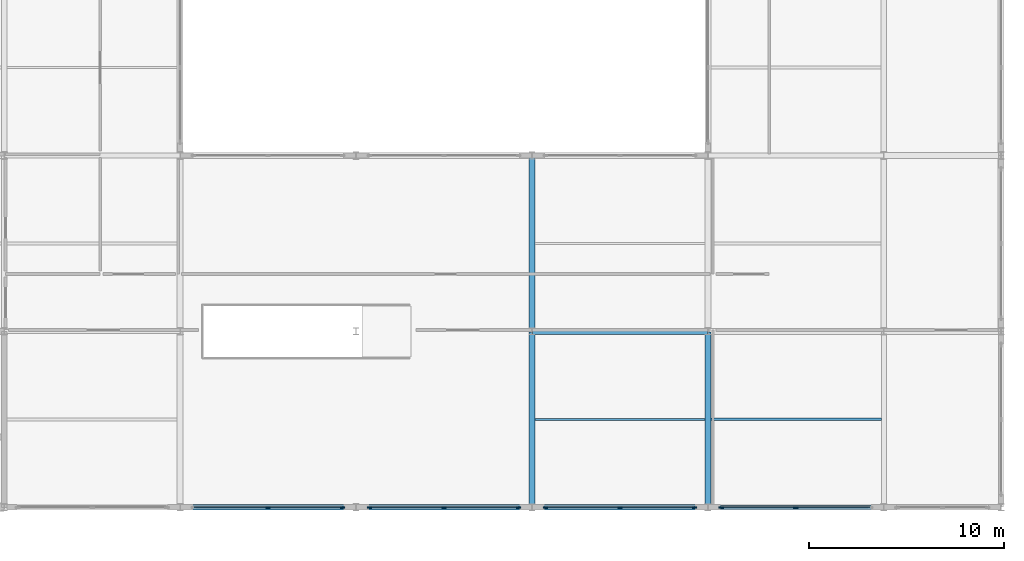
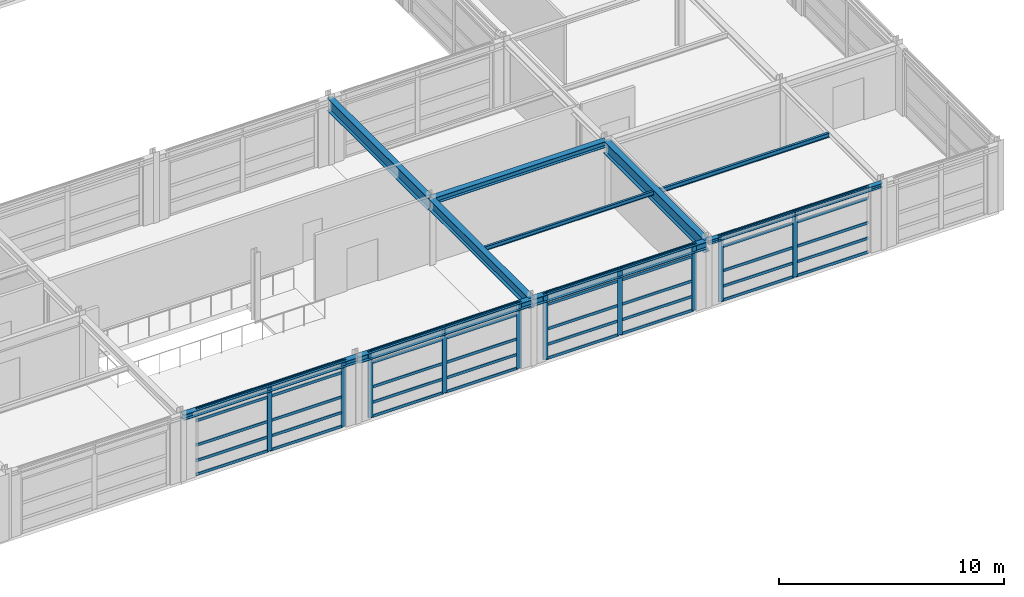
# One storey, part 40 of 79: 50 members, 10 beams, 4 elements without a shape of their own.
"""IFC4 building model written with IfcOpenShell, lengths in metres."""

from ifc_helpers import new_model, si_unit, direction, frame, origin, origin_2d, place, context, subcontext, project, spatial, rectangle, i_section, extrude, material, material_profile, profile_set, type_object, element, aggregate, save


model = new_model("IFC4")

# Units and contexts
model_context = context("Model", 3, precision=1e-05, world=origin(), true_north=direction((0.0, 1.0)))
body_context = subcontext(model_context, "Body", "Model", "MODEL_VIEW")
ifc_project = project(units=[si_unit("LENGTHUNIT", "METRE"), si_unit("AREAUNIT", "SQUARE_METRE"), si_unit("VOLUMEUNIT", "CUBIC_METRE"), si_unit("PLANEANGLEUNIT", "RADIAN"), si_unit("MASSUNIT", "GRAM", prefix="KILO")], contexts=[model_context])

# Site, building, storey
site_placement = place(None, origin())
site = spatial("IfcSite", under=ifc_project, at=site_placement, CompositionType="ELEMENT")
building_placement = place(site_placement, origin())
building = spatial("IfcBuilding", under=site, at=building_placement, Name="Palais des Congres Ocreval", CompositionType="ELEMENT")
storey_placement = place(building_placement, frame((0.0, 0.0, 4.320068359375)))
storey = spatial("IfcBuildingStorey", under=building, at=storey_placement, Name="L01", CompositionType="ELEMENT", Elevation=4.320068359375)

# Curtain wall, members
ifc_material_1 = material(Name="Anodized bronze aluminium and low-E glass", Category="glass")
curtain_wall_type = type_object("IfcCurtainWallType", Name="Unitised Curtain Wall 7900x3660", PredefinedType="USERDEFINED", material=ifc_material_1)
curtain_wall_1_placement = place(storey_placement, origin())
curtain_wall_1 = element("IfcCurtainWall", 1, at=curtain_wall_1_placement, inside=storey, type_object=curtain_wall_type, Name="Unitised Curtain Wall CW02 L01", ObjectType="UNITISED CURTAIN WALL", PredefinedType="USERDEFINED")
ifc_material_2 = material(Name="Anodized bronze aluminium", Category="aluminium")
ifc_material_profile_1 = material_profile(ifc_material_2, rectangle(XDim=0.074951171875, YDim=0.239990234375, at=origin_2d()), Name="ALU 75x240")
ifc_profile_set_1 = profile_set([ifc_material_profile_1], Name="Anodized bronze aluminium")
member_type_1 = type_object("IfcMemberType", Name="Curtain Wall Mullion ALU 75x240", PredefinedType="MULLION", material=ifc_profile_set_1)
member_1_placement = place(storey_placement, frame((157.5, 0.0, 0.0), z_axis=(0.0, 0.0, 1.0), x_axis=(0.0, -1.0, 0.0)))
member_1 = element("IfcMember", 2, at=member_1_placement, type_object=member_type_1, Name="Curtain Wall Mullion ML01", PredefinedType="MULLION", context=body_context, shape_type="SweptSolid", body=[
    extrude(rectangle(XDim=0.074951171875, YDim=0.239990234375, at=origin_2d()), origin(), (0.0, 0.0, 1.0), 3.599853515625),
])
member_2_placement = place(storey_placement, frame((153.6875, 0.0, 0.0), z_axis=(0.0, 0.0, 1.0), x_axis=(0.0, -1.0, 0.0)))
member_2 = element("IfcMember", 3, at=member_2_placement, type_object=member_type_1, Name="Curtain Wall Mullion ML01", PredefinedType="MULLION", context=body_context, shape_type="SweptSolid", body=[
    extrude(rectangle(XDim=0.074951171875, YDim=0.239990234375, at=origin_2d()), origin(), (0.0, 0.0, 1.0), 3.599853515625),
])

curtain_wall_2_placement = place(storey_placement, origin())
curtain_wall_2 = element("IfcCurtainWall", 4, at=curtain_wall_2_placement, inside=storey, type_object=curtain_wall_type, Name="Unitised Curtain Wall CW02 L01", ObjectType="UNITISED CURTAIN WALL", PredefinedType="USERDEFINED")
member_3_placement = place(storey_placement, frame((152.3125, 0.0, 0.0), z_axis=(0.0, 0.0, 1.0), x_axis=(0.0, -1.0, 0.0)))
member_3 = element("IfcMember", 5, at=member_3_placement, type_object=member_type_1, Name="Curtain Wall Mullion ML01", PredefinedType="MULLION", context=body_context, shape_type="SweptSolid", body=[
    extrude(rectangle(XDim=0.074951171875, YDim=0.239990234375, at=origin_2d()), origin(), (0.0, 0.0, 1.0), 3.599853515625),
])
member_4_placement = place(storey_placement, frame((148.5, 0.0, 0.0), z_axis=(0.0, 0.0, 1.0), x_axis=(0.0, -1.0, 0.0)))
member_4 = element("IfcMember", 6, at=member_4_placement, type_object=member_type_1, Name="Curtain Wall Mullion ML01", PredefinedType="MULLION", context=body_context, shape_type="SweptSolid", body=[
    extrude(rectangle(XDim=0.074951171875, YDim=0.239990234375, at=origin_2d()), origin(), (0.0, 0.0, 1.0), 3.599853515625),
])
member_5_placement = place(storey_placement, frame((144.6875, 0.0, 0.0), z_axis=(0.0, 0.0, 1.0), x_axis=(0.0, -1.0, 0.0)))
member_5 = element("IfcMember", 7, at=member_5_placement, type_object=member_type_1, Name="Curtain Wall Mullion ML01", PredefinedType="MULLION", context=body_context, shape_type="SweptSolid", body=[
    extrude(rectangle(XDim=0.074951171875, YDim=0.239990234375, at=origin_2d()), origin(), (0.0, 0.0, 1.0), 3.599853515625),
])

curtain_wall_3_placement = place(storey_placement, origin())
curtain_wall_3 = element("IfcCurtainWall", 8, at=curtain_wall_3_placement, inside=storey, type_object=curtain_wall_type, Name="Unitised Curtain Wall CW02 L01", ObjectType="UNITISED CURTAIN WALL", PredefinedType="USERDEFINED")
member_6_placement = place(storey_placement, frame((143.3125, 0.0, 0.0), z_axis=(0.0, 0.0, 1.0), x_axis=(0.0, -1.0, 0.0)))
member_6 = element("IfcMember", 9, at=member_6_placement, type_object=member_type_1, Name="Curtain Wall Mullion ML01", PredefinedType="MULLION", context=body_context, shape_type="SweptSolid", body=[
    extrude(rectangle(XDim=0.074951171875, YDim=0.239990234375, at=origin_2d()), origin(), (0.0, 0.0, 1.0), 3.599853515625),
])
member_7_placement = place(storey_placement, frame((139.5, 0.0, 0.0), z_axis=(0.0, 0.0, 1.0), x_axis=(0.0, -1.0, 0.0)))
member_7 = element("IfcMember", 10, at=member_7_placement, type_object=member_type_1, Name="Curtain Wall Mullion ML01", PredefinedType="MULLION", context=body_context, shape_type="SweptSolid", body=[
    extrude(rectangle(XDim=0.074951171875, YDim=0.239990234375, at=origin_2d()), origin(), (0.0, 0.0, 1.0), 3.599853515625),
])
member_8_placement = place(storey_placement, frame((135.6875, 0.0, 0.0), z_axis=(0.0, 0.0, 1.0), x_axis=(0.0, -1.0, 0.0)))
member_8 = element("IfcMember", 11, at=member_8_placement, type_object=member_type_1, Name="Curtain Wall Mullion ML01", PredefinedType="MULLION", context=body_context, shape_type="SweptSolid", body=[
    extrude(rectangle(XDim=0.074951171875, YDim=0.239990234375, at=origin_2d()), origin(), (0.0, 0.0, 1.0), 3.599853515625),
])

curtain_wall_4_placement = place(storey_placement, origin())
curtain_wall_4 = element("IfcCurtainWall", 12, at=curtain_wall_4_placement, inside=storey, type_object=curtain_wall_type, Name="Unitised Curtain Wall CW02 L01", ObjectType="UNITISED CURTAIN WALL", PredefinedType="USERDEFINED")
member_9_placement = place(storey_placement, frame((134.3125, 0.0, 0.0), z_axis=(0.0, 0.0, 1.0), x_axis=(0.0, -1.0, 0.0)))
member_9 = element("IfcMember", 13, at=member_9_placement, type_object=member_type_1, Name="Curtain Wall Mullion ML01", PredefinedType="MULLION", context=body_context, shape_type="SweptSolid", body=[
    extrude(rectangle(XDim=0.074951171875, YDim=0.239990234375, at=origin_2d()), origin(), (0.0, 0.0, 1.0), 3.599853515625),
])
member_10_placement = place(storey_placement, frame((130.5, 0.0, 0.0), z_axis=(0.0, 0.0, 1.0), x_axis=(0.0, -1.0, 0.0)))
member_10 = element("IfcMember", 14, at=member_10_placement, type_object=member_type_1, Name="Curtain Wall Mullion ML01", PredefinedType="MULLION", context=body_context, shape_type="SweptSolid", body=[
    extrude(rectangle(XDim=0.074951171875, YDim=0.239990234375, at=origin_2d()), origin(), (0.0, 0.0, 1.0), 3.599853515625),
])

# Member
ifc_material_profile_2 = material_profile(ifc_material_2, rectangle(XDim=0.06005859375, YDim=0.14990234375, at=origin_2d()), Name="ALU 60x150")
ifc_profile_set_2 = profile_set([ifc_material_profile_2], Name="Anodized bronze aluminium")
member_type_2 = type_object("IfcMemberType", Name="Curtain Wall Transom ALU 60x150", PredefinedType="USERDEFINED", material=ifc_profile_set_2)
member_11_placement = place(storey_placement, frame((161.27490234375, 0.0, 0.030029296875), z_axis=(-1.0, 0.0, 0.0), x_axis=(0.0, -1.0, 0.0)))
member_11 = element("IfcMember", 15, at=member_11_placement, type_object=member_type_2, Name="Curtain Wall Transom TR01", ObjectType="TRANSOM", PredefinedType="USERDEFINED", context=body_context, shape_type="SweptSolid", body=[
    extrude(rectangle(XDim=0.06005859375, YDim=0.14990234375, at=origin_2d()), origin(), (0.0, 0.0, 1.0), 3.7373046875),
])

member_12_placement = place(storey_placement, frame((161.27490234375, 0.0, 0.780029296875), z_axis=(-1.0, 0.0, 0.0), x_axis=(0.0, -1.0, 0.0)))
member_12 = element("IfcMember", 16, at=member_12_placement, type_object=member_type_2, Name="Curtain Wall Transom TR01", ObjectType="TRANSOM", PredefinedType="USERDEFINED", context=body_context, shape_type="SweptSolid", body=[
    extrude(rectangle(XDim=0.06005859375, YDim=0.14990234375, at=origin_2d()), origin(), (0.0, 0.0, 1.0), 3.7373046875),
])

member_13_placement = place(storey_placement, frame((161.27490234375, 0.0, 1.622314453125), z_axis=(-1.0, 0.0, 0.0), x_axis=(0.0, -1.0, 0.0)))
member_13 = element("IfcMember", 17, at=member_13_placement, type_object=member_type_2, Name="Curtain Wall Transom TR01", ObjectType="TRANSOM", PredefinedType="USERDEFINED", context=body_context, shape_type="SweptSolid", body=[
    extrude(rectangle(XDim=0.06005859375, YDim=0.14990234375, at=origin_2d()), origin(), (0.0, 0.0, 1.0), 3.7373046875),
])

member_14_placement = place(storey_placement, frame((161.27490234375, 0.0, 2.949951171875), z_axis=(-1.0, 0.0, 0.0), x_axis=(0.0, -1.0, 0.0)))
member_14 = element("IfcMember", 18, at=member_14_placement, type_object=member_type_2, Name="Curtain Wall Transom TR01", ObjectType="TRANSOM", PredefinedType="USERDEFINED", context=body_context, shape_type="SweptSolid", body=[
    extrude(rectangle(XDim=0.06005859375, YDim=0.14990234375, at=origin_2d()), origin(), (0.0, 0.0, 1.0), 3.7373046875),
])

member_15_placement = place(storey_placement, frame((161.27490234375, 0.0, 3.56982421875), z_axis=(-1.0, 0.0, 0.0), x_axis=(0.0, -1.0, 0.0)))
member_15 = element("IfcMember", 19, at=member_15_placement, type_object=member_type_2, Name="Curtain Wall Transom TR01", ObjectType="TRANSOM", PredefinedType="USERDEFINED", context=body_context, shape_type="SweptSolid", body=[
    extrude(rectangle(XDim=0.06005859375, YDim=0.14990234375, at=origin_2d()), origin(), (0.0, 0.0, 1.0), 3.7373046875),
])

member_16_placement = place(storey_placement, frame((157.46240234375, 0.0, 0.030029296875), z_axis=(-1.0, 0.0, 0.0), x_axis=(0.0, -1.0, 0.0)))
member_16 = element("IfcMember", 20, at=member_16_placement, type_object=member_type_2, Name="Curtain Wall Transom TR01", ObjectType="TRANSOM", PredefinedType="USERDEFINED", context=body_context, shape_type="SweptSolid", body=[
    extrude(rectangle(XDim=0.06005859375, YDim=0.14990234375, at=origin_2d()), origin(), (0.0, 0.0, 1.0), 3.7373046875),
])

member_17_placement = place(storey_placement, frame((157.46240234375, 0.0, 0.780029296875), z_axis=(-1.0, 0.0, 0.0), x_axis=(0.0, -1.0, 0.0)))
member_17 = element("IfcMember", 21, at=member_17_placement, type_object=member_type_2, Name="Curtain Wall Transom TR01", ObjectType="TRANSOM", PredefinedType="USERDEFINED", context=body_context, shape_type="SweptSolid", body=[
    extrude(rectangle(XDim=0.06005859375, YDim=0.14990234375, at=origin_2d()), origin(), (0.0, 0.0, 1.0), 3.7373046875),
])

member_18_placement = place(storey_placement, frame((157.46240234375, 0.0, 1.622314453125), z_axis=(-1.0, 0.0, 0.0), x_axis=(0.0, -1.0, 0.0)))
member_18 = element("IfcMember", 22, at=member_18_placement, type_object=member_type_2, Name="Curtain Wall Transom TR01", ObjectType="TRANSOM", PredefinedType="USERDEFINED", context=body_context, shape_type="SweptSolid", body=[
    extrude(rectangle(XDim=0.06005859375, YDim=0.14990234375, at=origin_2d()), origin(), (0.0, 0.0, 1.0), 3.7373046875),
])

member_19_placement = place(storey_placement, frame((157.46240234375, 0.0, 2.949951171875), z_axis=(-1.0, 0.0, 0.0), x_axis=(0.0, -1.0, 0.0)))
member_19 = element("IfcMember", 23, at=member_19_placement, type_object=member_type_2, Name="Curtain Wall Transom TR01", ObjectType="TRANSOM", PredefinedType="USERDEFINED", context=body_context, shape_type="SweptSolid", body=[
    extrude(rectangle(XDim=0.06005859375, YDim=0.14990234375, at=origin_2d()), origin(), (0.0, 0.0, 1.0), 3.7373046875),
])

member_20_placement = place(storey_placement, frame((157.46240234375, 0.0, 3.56982421875), z_axis=(-1.0, 0.0, 0.0), x_axis=(0.0, -1.0, 0.0)))
member_20 = element("IfcMember", 24, at=member_20_placement, type_object=member_type_2, Name="Curtain Wall Transom TR01", ObjectType="TRANSOM", PredefinedType="USERDEFINED", context=body_context, shape_type="SweptSolid", body=[
    extrude(rectangle(XDim=0.06005859375, YDim=0.14990234375, at=origin_2d()), origin(), (0.0, 0.0, 1.0), 3.7373046875),
])

aggregate(curtain_wall_1, [member_1, member_2, member_11, member_12, member_13, member_14, member_15, member_16, member_17, member_18, member_19, member_20])

member_21_placement = place(storey_placement, frame((152.27490234375, 0.0, 0.030029296875), z_axis=(-1.0, 0.0, 0.0), x_axis=(0.0, -1.0, 0.0)))
member_21 = element("IfcMember", 25, at=member_21_placement, type_object=member_type_2, Name="Curtain Wall Transom TR01", ObjectType="TRANSOM", PredefinedType="USERDEFINED", context=body_context, shape_type="SweptSolid", body=[
    extrude(rectangle(XDim=0.06005859375, YDim=0.14990234375, at=origin_2d()), origin(), (0.0, 0.0, 1.0), 3.7373046875),
])

member_22_placement = place(storey_placement, frame((152.27490234375, 0.0, 0.780029296875), z_axis=(-1.0, 0.0, 0.0), x_axis=(0.0, -1.0, 0.0)))
member_22 = element("IfcMember", 26, at=member_22_placement, type_object=member_type_2, Name="Curtain Wall Transom TR01", ObjectType="TRANSOM", PredefinedType="USERDEFINED", context=body_context, shape_type="SweptSolid", body=[
    extrude(rectangle(XDim=0.06005859375, YDim=0.14990234375, at=origin_2d()), origin(), (0.0, 0.0, 1.0), 3.7373046875),
])

member_23_placement = place(storey_placement, frame((152.27490234375, 0.0, 1.622314453125), z_axis=(-1.0, 0.0, 0.0), x_axis=(0.0, -1.0, 0.0)))
member_23 = element("IfcMember", 27, at=member_23_placement, type_object=member_type_2, Name="Curtain Wall Transom TR01", ObjectType="TRANSOM", PredefinedType="USERDEFINED", context=body_context, shape_type="SweptSolid", body=[
    extrude(rectangle(XDim=0.06005859375, YDim=0.14990234375, at=origin_2d()), origin(), (0.0, 0.0, 1.0), 3.7373046875),
])

member_24_placement = place(storey_placement, frame((152.27490234375, 0.0, 2.949951171875), z_axis=(-1.0, 0.0, 0.0), x_axis=(0.0, -1.0, 0.0)))
member_24 = element("IfcMember", 28, at=member_24_placement, type_object=member_type_2, Name="Curtain Wall Transom TR01", ObjectType="TRANSOM", PredefinedType="USERDEFINED", context=body_context, shape_type="SweptSolid", body=[
    extrude(rectangle(XDim=0.06005859375, YDim=0.14990234375, at=origin_2d()), origin(), (0.0, 0.0, 1.0), 3.7373046875),
])

member_25_placement = place(storey_placement, frame((152.27490234375, 0.0, 3.56982421875), z_axis=(-1.0, 0.0, 0.0), x_axis=(0.0, -1.0, 0.0)))
member_25 = element("IfcMember", 29, at=member_25_placement, type_object=member_type_2, Name="Curtain Wall Transom TR01", ObjectType="TRANSOM", PredefinedType="USERDEFINED", context=body_context, shape_type="SweptSolid", body=[
    extrude(rectangle(XDim=0.06005859375, YDim=0.14990234375, at=origin_2d()), origin(), (0.0, 0.0, 1.0), 3.7373046875),
])

member_26_placement = place(storey_placement, frame((148.46240234375, 0.0, 0.030029296875), z_axis=(-1.0, 0.0, 0.0), x_axis=(0.0, -1.0, 0.0)))
member_26 = element("IfcMember", 30, at=member_26_placement, type_object=member_type_2, Name="Curtain Wall Transom TR01", ObjectType="TRANSOM", PredefinedType="USERDEFINED", context=body_context, shape_type="SweptSolid", body=[
    extrude(rectangle(XDim=0.06005859375, YDim=0.14990234375, at=origin_2d()), origin(), (0.0, 0.0, 1.0), 3.7373046875),
])

member_27_placement = place(storey_placement, frame((148.46240234375, 0.0, 0.780029296875), z_axis=(-1.0, 0.0, 0.0), x_axis=(0.0, -1.0, 0.0)))
member_27 = element("IfcMember", 31, at=member_27_placement, type_object=member_type_2, Name="Curtain Wall Transom TR01", ObjectType="TRANSOM", PredefinedType="USERDEFINED", context=body_context, shape_type="SweptSolid", body=[
    extrude(rectangle(XDim=0.06005859375, YDim=0.14990234375, at=origin_2d()), origin(), (0.0, 0.0, 1.0), 3.7373046875),
])

member_28_placement = place(storey_placement, frame((148.46240234375, 0.0, 1.622314453125), z_axis=(-1.0, 0.0, 0.0), x_axis=(0.0, -1.0, 0.0)))
member_28 = element("IfcMember", 32, at=member_28_placement, type_object=member_type_2, Name="Curtain Wall Transom TR01", ObjectType="TRANSOM", PredefinedType="USERDEFINED", context=body_context, shape_type="SweptSolid", body=[
    extrude(rectangle(XDim=0.06005859375, YDim=0.14990234375, at=origin_2d()), origin(), (0.0, 0.0, 1.0), 3.7373046875),
])

member_29_placement = place(storey_placement, frame((148.46240234375, 0.0, 2.949951171875), z_axis=(-1.0, 0.0, 0.0), x_axis=(0.0, -1.0, 0.0)))
member_29 = element("IfcMember", 33, at=member_29_placement, type_object=member_type_2, Name="Curtain Wall Transom TR01", ObjectType="TRANSOM", PredefinedType="USERDEFINED", context=body_context, shape_type="SweptSolid", body=[
    extrude(rectangle(XDim=0.06005859375, YDim=0.14990234375, at=origin_2d()), origin(), (0.0, 0.0, 1.0), 3.7373046875),
])

member_30_placement = place(storey_placement, frame((148.46240234375, 0.0, 3.56982421875), z_axis=(-1.0, 0.0, 0.0), x_axis=(0.0, -1.0, 0.0)))
member_30 = element("IfcMember", 34, at=member_30_placement, type_object=member_type_2, Name="Curtain Wall Transom TR01", ObjectType="TRANSOM", PredefinedType="USERDEFINED", context=body_context, shape_type="SweptSolid", body=[
    extrude(rectangle(XDim=0.06005859375, YDim=0.14990234375, at=origin_2d()), origin(), (0.0, 0.0, 1.0), 3.7373046875),
])

aggregate(curtain_wall_2, [member_3, member_4, member_5, member_21, member_22, member_23, member_24, member_25, member_26, member_27, member_28, member_29, member_30])

member_31_placement = place(storey_placement, frame((143.27490234375, 0.0, 0.030029296875), z_axis=(-1.0, 0.0, 0.0), x_axis=(0.0, -1.0, 0.0)))
member_31 = element("IfcMember", 35, at=member_31_placement, type_object=member_type_2, Name="Curtain Wall Transom TR01", ObjectType="TRANSOM", PredefinedType="USERDEFINED", context=body_context, shape_type="SweptSolid", body=[
    extrude(rectangle(XDim=0.06005859375, YDim=0.14990234375, at=origin_2d()), origin(), (0.0, 0.0, 1.0), 3.7373046875),
])

member_32_placement = place(storey_placement, frame((143.27490234375, 0.0, 0.780029296875), z_axis=(-1.0, 0.0, 0.0), x_axis=(0.0, -1.0, 0.0)))
member_32 = element("IfcMember", 36, at=member_32_placement, type_object=member_type_2, Name="Curtain Wall Transom TR01", ObjectType="TRANSOM", PredefinedType="USERDEFINED", context=body_context, shape_type="SweptSolid", body=[
    extrude(rectangle(XDim=0.06005859375, YDim=0.14990234375, at=origin_2d()), origin(), (0.0, 0.0, 1.0), 3.7373046875),
])

member_33_placement = place(storey_placement, frame((143.27490234375, 0.0, 1.622314453125), z_axis=(-1.0, 0.0, 0.0), x_axis=(0.0, -1.0, 0.0)))
member_33 = element("IfcMember", 37, at=member_33_placement, type_object=member_type_2, Name="Curtain Wall Transom TR01", ObjectType="TRANSOM", PredefinedType="USERDEFINED", context=body_context, shape_type="SweptSolid", body=[
    extrude(rectangle(XDim=0.06005859375, YDim=0.14990234375, at=origin_2d()), origin(), (0.0, 0.0, 1.0), 3.7373046875),
])

member_34_placement = place(storey_placement, frame((143.27490234375, 0.0, 2.949951171875), z_axis=(-1.0, 0.0, 0.0), x_axis=(0.0, -1.0, 0.0)))
member_34 = element("IfcMember", 38, at=member_34_placement, type_object=member_type_2, Name="Curtain Wall Transom TR01", ObjectType="TRANSOM", PredefinedType="USERDEFINED", context=body_context, shape_type="SweptSolid", body=[
    extrude(rectangle(XDim=0.06005859375, YDim=0.14990234375, at=origin_2d()), origin(), (0.0, 0.0, 1.0), 3.7373046875),
])

member_35_placement = place(storey_placement, frame((143.27490234375, 0.0, 3.56982421875), z_axis=(-1.0, 0.0, 0.0), x_axis=(0.0, -1.0, 0.0)))
member_35 = element("IfcMember", 39, at=member_35_placement, type_object=member_type_2, Name="Curtain Wall Transom TR01", ObjectType="TRANSOM", PredefinedType="USERDEFINED", context=body_context, shape_type="SweptSolid", body=[
    extrude(rectangle(XDim=0.06005859375, YDim=0.14990234375, at=origin_2d()), origin(), (0.0, 0.0, 1.0), 3.7373046875),
])

member_36_placement = place(storey_placement, frame((139.46240234375, 0.0, 0.030029296875), z_axis=(-1.0, 0.0, 0.0), x_axis=(0.0, -1.0, 0.0)))
member_36 = element("IfcMember", 40, at=member_36_placement, type_object=member_type_2, Name="Curtain Wall Transom TR01", ObjectType="TRANSOM", PredefinedType="USERDEFINED", context=body_context, shape_type="SweptSolid", body=[
    extrude(rectangle(XDim=0.06005859375, YDim=0.14990234375, at=origin_2d()), origin(), (0.0, 0.0, 1.0), 3.7373046875),
])

member_37_placement = place(storey_placement, frame((139.46240234375, 0.0, 0.780029296875), z_axis=(-1.0, 0.0, 0.0), x_axis=(0.0, -1.0, 0.0)))
member_37 = element("IfcMember", 41, at=member_37_placement, type_object=member_type_2, Name="Curtain Wall Transom TR01", ObjectType="TRANSOM", PredefinedType="USERDEFINED", context=body_context, shape_type="SweptSolid", body=[
    extrude(rectangle(XDim=0.06005859375, YDim=0.14990234375, at=origin_2d()), origin(), (0.0, 0.0, 1.0), 3.7373046875),
])

member_38_placement = place(storey_placement, frame((139.46240234375, 0.0, 1.622314453125), z_axis=(-1.0, 0.0, 0.0), x_axis=(0.0, -1.0, 0.0)))
member_38 = element("IfcMember", 42, at=member_38_placement, type_object=member_type_2, Name="Curtain Wall Transom TR01", ObjectType="TRANSOM", PredefinedType="USERDEFINED", context=body_context, shape_type="SweptSolid", body=[
    extrude(rectangle(XDim=0.06005859375, YDim=0.14990234375, at=origin_2d()), origin(), (0.0, 0.0, 1.0), 3.7373046875),
])

member_39_placement = place(storey_placement, frame((139.46240234375, 0.0, 2.949951171875), z_axis=(-1.0, 0.0, 0.0), x_axis=(0.0, -1.0, 0.0)))
member_39 = element("IfcMember", 43, at=member_39_placement, type_object=member_type_2, Name="Curtain Wall Transom TR01", ObjectType="TRANSOM", PredefinedType="USERDEFINED", context=body_context, shape_type="SweptSolid", body=[
    extrude(rectangle(XDim=0.06005859375, YDim=0.14990234375, at=origin_2d()), origin(), (0.0, 0.0, 1.0), 3.7373046875),
])

member_40_placement = place(storey_placement, frame((139.46240234375, 0.0, 3.56982421875), z_axis=(-1.0, 0.0, 0.0), x_axis=(0.0, -1.0, 0.0)))
member_40 = element("IfcMember", 44, at=member_40_placement, type_object=member_type_2, Name="Curtain Wall Transom TR01", ObjectType="TRANSOM", PredefinedType="USERDEFINED", context=body_context, shape_type="SweptSolid", body=[
    extrude(rectangle(XDim=0.06005859375, YDim=0.14990234375, at=origin_2d()), origin(), (0.0, 0.0, 1.0), 3.7373046875),
])

aggregate(curtain_wall_3, [member_6, member_7, member_8, member_31, member_32, member_33, member_34, member_35, member_36, member_37, member_38, member_39, member_40])

member_41_placement = place(storey_placement, frame((134.27490234375, 0.0, 0.030029296875), z_axis=(-1.0, 0.0, 0.0), x_axis=(0.0, -1.0, 0.0)))
member_41 = element("IfcMember", 45, at=member_41_placement, type_object=member_type_2, Name="Curtain Wall Transom TR01", ObjectType="TRANSOM", PredefinedType="USERDEFINED", context=body_context, shape_type="SweptSolid", body=[
    extrude(rectangle(XDim=0.06005859375, YDim=0.14990234375, at=origin_2d()), origin(), (0.0, 0.0, 1.0), 3.7373046875),
])

member_42_placement = place(storey_placement, frame((134.27490234375, 0.0, 0.780029296875), z_axis=(-1.0, 0.0, 0.0), x_axis=(0.0, -1.0, 0.0)))
member_42 = element("IfcMember", 46, at=member_42_placement, type_object=member_type_2, Name="Curtain Wall Transom TR01", ObjectType="TRANSOM", PredefinedType="USERDEFINED", context=body_context, shape_type="SweptSolid", body=[
    extrude(rectangle(XDim=0.06005859375, YDim=0.14990234375, at=origin_2d()), origin(), (0.0, 0.0, 1.0), 3.7373046875),
])

member_43_placement = place(storey_placement, frame((134.27490234375, 0.0, 1.622314453125), z_axis=(-1.0, 0.0, 0.0), x_axis=(0.0, -1.0, 0.0)))
member_43 = element("IfcMember", 47, at=member_43_placement, type_object=member_type_2, Name="Curtain Wall Transom TR01", ObjectType="TRANSOM", PredefinedType="USERDEFINED", context=body_context, shape_type="SweptSolid", body=[
    extrude(rectangle(XDim=0.06005859375, YDim=0.14990234375, at=origin_2d()), origin(), (0.0, 0.0, 1.0), 3.7373046875),
])

member_44_placement = place(storey_placement, frame((134.27490234375, 0.0, 2.949951171875), z_axis=(-1.0, 0.0, 0.0), x_axis=(0.0, -1.0, 0.0)))
member_44 = element("IfcMember", 48, at=member_44_placement, type_object=member_type_2, Name="Curtain Wall Transom TR01", ObjectType="TRANSOM", PredefinedType="USERDEFINED", context=body_context, shape_type="SweptSolid", body=[
    extrude(rectangle(XDim=0.06005859375, YDim=0.14990234375, at=origin_2d()), origin(), (0.0, 0.0, 1.0), 3.7373046875),
])

member_45_placement = place(storey_placement, frame((134.27490234375, 0.0, 3.56982421875), z_axis=(-1.0, 0.0, 0.0), x_axis=(0.0, -1.0, 0.0)))
member_45 = element("IfcMember", 49, at=member_45_placement, type_object=member_type_2, Name="Curtain Wall Transom TR01", ObjectType="TRANSOM", PredefinedType="USERDEFINED", context=body_context, shape_type="SweptSolid", body=[
    extrude(rectangle(XDim=0.06005859375, YDim=0.14990234375, at=origin_2d()), origin(), (0.0, 0.0, 1.0), 3.7373046875),
])

member_46_placement = place(storey_placement, frame((130.46240234375, 0.0, 0.030029296875), z_axis=(-1.0, 0.0, 0.0), x_axis=(0.0, -1.0, 0.0)))
member_46 = element("IfcMember", 50, at=member_46_placement, type_object=member_type_2, Name="Curtain Wall Transom TR01", ObjectType="TRANSOM", PredefinedType="USERDEFINED", context=body_context, shape_type="SweptSolid", body=[
    extrude(rectangle(XDim=0.06005859375, YDim=0.14990234375, at=origin_2d()), origin(), (0.0, 0.0, 1.0), 3.7373046875),
])

member_47_placement = place(storey_placement, frame((130.46240234375, 0.0, 0.780029296875), z_axis=(-1.0, 0.0, 0.0), x_axis=(0.0, -1.0, 0.0)))
member_47 = element("IfcMember", 51, at=member_47_placement, type_object=member_type_2, Name="Curtain Wall Transom TR01", ObjectType="TRANSOM", PredefinedType="USERDEFINED", context=body_context, shape_type="SweptSolid", body=[
    extrude(rectangle(XDim=0.06005859375, YDim=0.14990234375, at=origin_2d()), origin(), (0.0, 0.0, 1.0), 3.7373046875),
])

member_48_placement = place(storey_placement, frame((130.46240234375, 0.0, 1.622314453125), z_axis=(-1.0, 0.0, 0.0), x_axis=(0.0, -1.0, 0.0)))
member_48 = element("IfcMember", 52, at=member_48_placement, type_object=member_type_2, Name="Curtain Wall Transom TR01", ObjectType="TRANSOM", PredefinedType="USERDEFINED", context=body_context, shape_type="SweptSolid", body=[
    extrude(rectangle(XDim=0.06005859375, YDim=0.14990234375, at=origin_2d()), origin(), (0.0, 0.0, 1.0), 3.7373046875),
])

member_49_placement = place(storey_placement, frame((130.46240234375, 0.0, 2.949951171875), z_axis=(-1.0, 0.0, 0.0), x_axis=(0.0, -1.0, 0.0)))
member_49 = element("IfcMember", 53, at=member_49_placement, type_object=member_type_2, Name="Curtain Wall Transom TR01", ObjectType="TRANSOM", PredefinedType="USERDEFINED", context=body_context, shape_type="SweptSolid", body=[
    extrude(rectangle(XDim=0.06005859375, YDim=0.14990234375, at=origin_2d()), origin(), (0.0, 0.0, 1.0), 3.7373046875),
])

member_50_placement = place(storey_placement, frame((130.46240234375, 0.0, 3.56982421875), z_axis=(-1.0, 0.0, 0.0), x_axis=(0.0, -1.0, 0.0)))
member_50 = element("IfcMember", 54, at=member_50_placement, type_object=member_type_2, Name="Curtain Wall Transom TR01", ObjectType="TRANSOM", PredefinedType="USERDEFINED", context=body_context, shape_type="SweptSolid", body=[
    extrude(rectangle(XDim=0.06005859375, YDim=0.14990234375, at=origin_2d()), origin(), (0.0, 0.0, 1.0), 3.7373046875),
])

aggregate(curtain_wall_4, [member_9, member_10, member_41, member_42, member_43, member_44, member_45, member_46, member_47, member_48, member_49, member_50])

# Beams
ifc_material_3 = material(Name="Steel S355", Category="steel")
ifc_material_profile_3 = material_profile(ifc_material_3, i_section(OverallWidth=0.239990234375, OverallDepth=0.22998046875, WebThickness=0.007568359375, FlangeThickness=0.011962890625, at=origin_2d()), Name="HEA 240")
ifc_profile_set_3 = profile_set([ifc_material_profile_3], Name="Steel S355")
beam_type_1 = type_object("IfcBeamType", Name="Perimeter Spandrel HEA 240 Steel S355", PredefinedType="SPANDREL", material=ifc_profile_set_3)
beam_1_placement = place(storey_placement, frame((153.02001953125, 0.0, 3.46484375), z_axis=(1.0, 0.0, 0.0), x_axis=(0.0, 1.0, 0.0)))
element("IfcBeam", 55, at=beam_1_placement, inside=storey, type_object=beam_type_1, Name="Beam SP01 L01", PredefinedType="SPANDREL", context=body_context, shape_type="SweptSolid", body=[
    extrude(i_section(OverallWidth=0.239990234375, OverallDepth=0.22998046875, WebThickness=0.007568359375, FlangeThickness=0.011962890625, at=origin_2d()), origin(), (0.0, 0.0, 1.0), 8.9599609375),
])
ifc_material_profile_4 = material_profile(ifc_material_3, i_section(OverallWidth=0.300048828125, OverallDepth=0.300048828125, WebThickness=0.010986328125, FlangeThickness=0.01904296875, at=origin_2d()), Name="HEB 300")
ifc_profile_set_4 = profile_set([ifc_material_profile_4], Name="Steel S355")
beam_type_2 = type_object("IfcBeamType", Name="Perimeter Spandrel HEB 300 Steel S355", PredefinedType="SPANDREL", material=ifc_profile_set_4)
beam_2_placement = place(storey_placement, frame((126.02001953125, 0.0, 3.429931640625), z_axis=(1.0, 0.0, 0.0), x_axis=(0.0, 1.0, 0.0)))
element("IfcBeam", 56, at=beam_2_placement, inside=storey, type_object=beam_type_2, Name="Beam SP02 L01", PredefinedType="SPANDREL", context=body_context, shape_type="SweptSolid", body=[
    extrude(i_section(OverallWidth=0.300048828125, OverallDepth=0.300048828125, WebThickness=0.010986328125, FlangeThickness=0.01904296875, at=origin_2d()), origin(), (0.0, 0.0, 1.0), 8.9599609375),
])
ifc_material_profile_5 = material_profile(ifc_material_3, i_section(OverallWidth=0.300048828125, OverallDepth=0.360107421875, WebThickness=0.012451171875, FlangeThickness=0.0224609375, at=origin_2d()), Name="HEB 360")
ifc_profile_set_5 = profile_set([ifc_material_profile_5], Name="Steel S355")
beam_type_3 = type_object("IfcBeamType", Name="Perimeter Spandrel HEB 360 Steel S355", PredefinedType="SPANDREL", material=ifc_profile_set_5)
beam_3_placement = place(storey_placement, frame((135.02001953125, 0.0, 3.39990234375), z_axis=(1.0, 0.0, 0.0), x_axis=(0.0, 1.0, 0.0)))
element("IfcBeam", 57, at=beam_3_placement, inside=storey, type_object=beam_type_3, Name="Beam SP03 L01", PredefinedType="SPANDREL", context=body_context, shape_type="SweptSolid", body=[
    extrude(i_section(OverallWidth=0.300048828125, OverallDepth=0.360107421875, WebThickness=0.012451171875, FlangeThickness=0.0224609375, at=origin_2d()), origin(), (0.0, 0.0, 1.0), 8.9599609375),
])
ifc_material_profile_6 = material_profile(ifc_material_3, i_section(OverallWidth=0.300048828125, OverallDepth=0.39990234375, WebThickness=0.013427734375, FlangeThickness=0.02392578125, at=origin_2d()), Name="HEB 400")
ifc_profile_set_6 = profile_set([ifc_material_profile_6], Name="Steel S355")
beam_type_4 = type_object("IfcBeamType", Name="Perimeter Spandrel HEB 400 Steel S355", PredefinedType="SPANDREL", material=ifc_profile_set_6)
beam_4_placement = place(storey_placement, frame((144.02001953125, 0.0, 3.3798828125), z_axis=(1.0, 0.0, 0.0), x_axis=(0.0, 1.0, 0.0)))
element("IfcBeam", 58, at=beam_4_placement, inside=storey, type_object=beam_type_4, Name="Beam SP04 L01", PredefinedType="SPANDREL", context=body_context, shape_type="SweptSolid", body=[
    extrude(i_section(OverallWidth=0.300048828125, OverallDepth=0.39990234375, WebThickness=0.013427734375, FlangeThickness=0.02392578125, at=origin_2d()), origin(), (0.0, 0.0, 1.0), 8.9599609375),
])
ifc_material_profile_7 = material_profile(ifc_material_3, i_section(OverallWidth=0.300048828125, OverallDepth=0.330078125, WebThickness=0.009521484375, FlangeThickness=0.0166015625, at=origin_2d()), Name="HEA 340")
ifc_profile_set_7 = profile_set([ifc_material_profile_7], Name="Steel S355")
beam_type_5 = type_object("IfcBeamType", Name="Primary Beam HEA 340 Steel S355", PredefinedType="BEAM", material=ifc_profile_set_7)
beam_5_placement = place(storey_placement, frame((144.02001953125, 9.0, 3.4150390625), z_axis=(1.0, 0.0, 0.0), x_axis=(0.0, 1.0, 0.0)))
element("IfcBeam", 59, at=beam_5_placement, inside=storey, type_object=beam_type_5, Name="Beam B09 L01", PredefinedType="BEAM", context=body_context, shape_type="SweptSolid", body=[
    extrude(i_section(OverallWidth=0.300048828125, OverallDepth=0.330078125, WebThickness=0.009521484375, FlangeThickness=0.0166015625, at=origin_2d()), origin(), (0.0, 0.0, 1.0), 8.9599609375),
])
ifc_material_profile_8 = material_profile(ifc_material_3, i_section(OverallWidth=0.300048828125, OverallDepth=0.590087890625, WebThickness=0.012939453125, FlangeThickness=0.02490234375, at=origin_2d()), Name="HEA 600")
ifc_profile_set_8 = profile_set([ifc_material_profile_8], Name="Steel S355")
beam_type_6 = type_object("IfcBeamType", Name="Primary Girder HEA 600 Steel S355", PredefinedType="BEAM", material=ifc_profile_set_8)
beam_6_placement = place(storey_placement, frame((144.0, 0.02001953125, 3.284912109375), z_axis=(0.0, 1.0, 0.0), x_axis=(-1.0, 0.0, 0.0)))
element("IfcBeam", 60, at=beam_6_placement, inside=storey, type_object=beam_type_6, Name="Girder B13 L01", PredefinedType="BEAM", context=body_context, shape_type="SweptSolid", body=[
    extrude(i_section(OverallWidth=0.300048828125, OverallDepth=0.590087890625, WebThickness=0.012939453125, FlangeThickness=0.02490234375, at=origin_2d()), origin(), (0.0, 0.0, 1.0), 8.9599609375),
])
ifc_material_profile_9 = material_profile(ifc_material_3, i_section(OverallWidth=0.300048828125, OverallDepth=0.68994140625, WebThickness=0.014404296875, FlangeThickness=0.027099609375, at=origin_2d()), Name="HEA 700")
ifc_profile_set_9 = profile_set([ifc_material_profile_9], Name="Steel S355")
beam_type_7 = type_object("IfcBeamType", Name="Primary Girder HEA 700 Steel S355", PredefinedType="BEAM", material=ifc_profile_set_9)
for number, where, z_axis, x_axis, name in (
    (61, (144.0, 9.02001953125, 3.23486328125), (0.0, 1.0, 0.0), (-1.0, 0.0, 0.0), "Girder B14 L01"),
    (62, (153.0, 0.02001953125, 3.23486328125), (0.0, 1.0, 0.0), (-1.0, 0.0, 0.0), "Girder B14 L01"),
):
    element("IfcBeam", number, at=place(storey_placement, frame(where, z_axis=z_axis, x_axis=x_axis)), inside=storey, type_object=beam_type_7, Name=name, PredefinedType="BEAM", context=body_context, shape_type="SweptSolid", body=[
        extrude(i_section(OverallWidth=0.300048828125, OverallDepth=0.68994140625, WebThickness=0.014404296875, FlangeThickness=0.027099609375, at=origin_2d()), origin(), (0.0, 0.0, 1.0), 8.9599609375),
    ])
ifc_material_profile_10 = material_profile(ifc_material_3, i_section(OverallWidth=0.110107421875, OverallDepth=0.219970703125, WebThickness=0.005859375, FlangeThickness=0.00927734375, at=origin_2d()), Name="IPE 220")
ifc_profile_set_10 = profile_set([ifc_material_profile_10], Name="Steel S355")
beam_type_8 = type_object("IfcBeamType", Name="Secondary Joist IPE 220 Steel S355", PredefinedType="JOIST", material=ifc_profile_set_10)
beam_7_placement = place(storey_placement, frame((144.14990234375, 4.5, 3.469970703125), z_axis=(1.0, 0.0, 0.0), x_axis=(0.0, 1.0, 0.0)))
element("IfcBeam", 63, at=beam_7_placement, inside=storey, type_object=beam_type_8, Name="Secondary Joist J02 L01", PredefinedType="JOIST", context=body_context, shape_type="SweptSolid", body=[
    extrude(i_section(OverallWidth=0.110107421875, OverallDepth=0.219970703125, WebThickness=0.005859375, FlangeThickness=0.00927734375, at=origin_2d()), origin(), (0.0, 0.0, 1.0), 8.7001953125),
])
ifc_material_profile_11 = material_profile(ifc_material_3, i_section(OverallWidth=0.1201171875, OverallDepth=0.239990234375, WebThickness=0.006103515625, FlangeThickness=0.009765625, at=origin_2d()), Name="IPE 240")
ifc_profile_set_11 = profile_set([ifc_material_profile_11], Name="Steel S355")
beam_type_9 = type_object("IfcBeamType", Name="Secondary Joist IPE 240 Steel S355", PredefinedType="JOIST", material=ifc_profile_set_11)
beam_8_placement = place(storey_placement, frame((153.14990234375, 4.5, 3.4599609375), z_axis=(1.0, 0.0, 0.0), x_axis=(0.0, 1.0, 0.0)))
element("IfcBeam", 64, at=beam_8_placement, inside=storey, type_object=beam_type_9, Name="Secondary Joist J03 L01", PredefinedType="JOIST", context=body_context, shape_type="SweptSolid", body=[
    extrude(i_section(OverallWidth=0.1201171875, OverallDepth=0.239990234375, WebThickness=0.006103515625, FlangeThickness=0.009765625, at=origin_2d()), origin(), (0.0, 0.0, 1.0), 8.72021484375),
])

save(model, "model.ifc")
